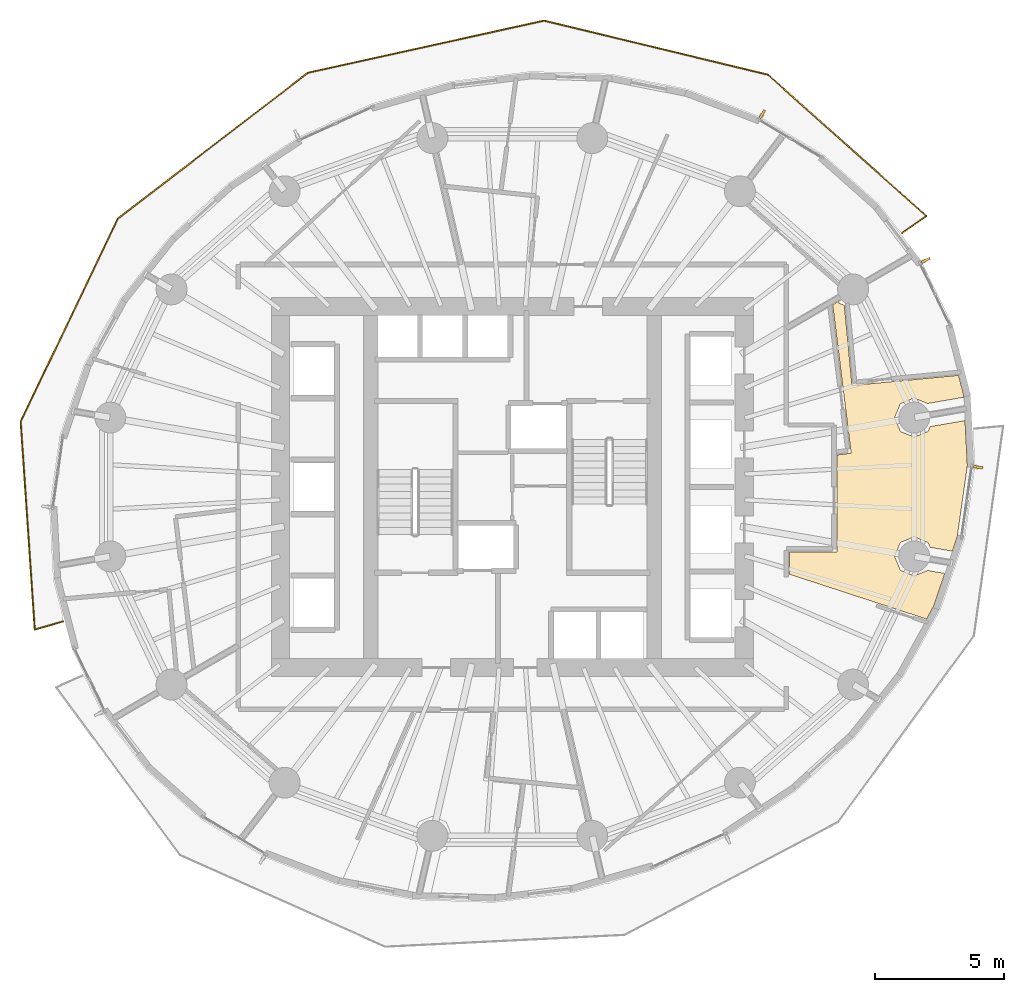
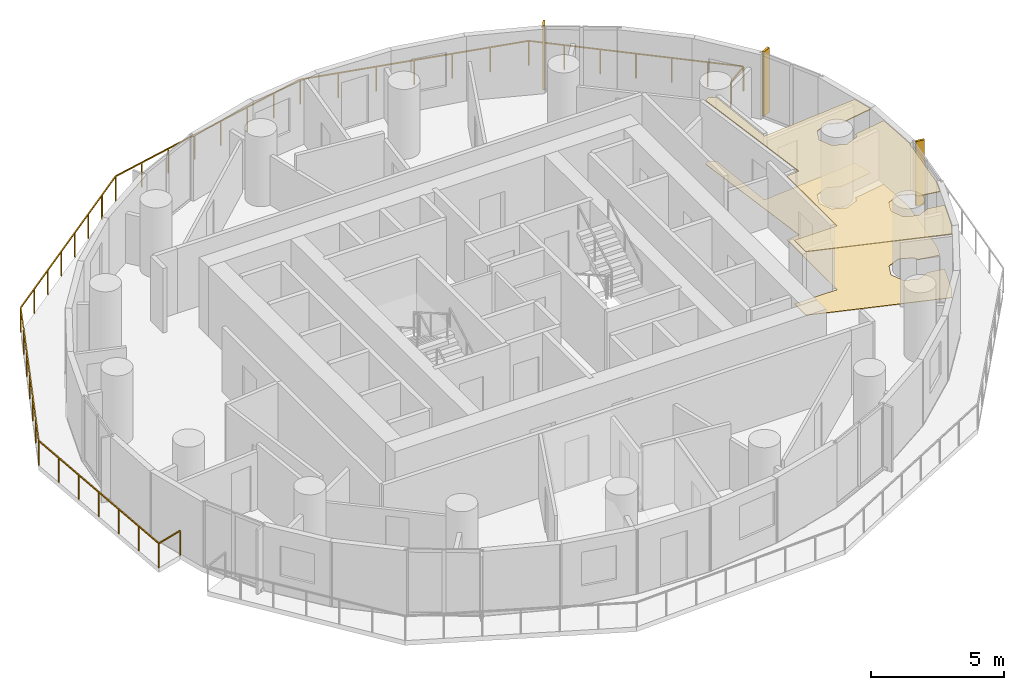
# One storey, part 14 of 14: 3 shading devices, 2 coverings, 1 railing.
"""IFC4 building model written with IfcOpenShell, lengths in metres."""

from ifc_helpers import new_model, si_unit, direction, frame, origin, origin_2d, place, context, subcontext, project, spatial, polyline, rectangle, outline, extrude, material, layer, layer_set, type_object, element, save


model = new_model("IFC4")

# Units and contexts
model_context = context("Model", 3, precision=1e-05, world=origin(), true_north=direction((0.0, 1.0)))
body_context = subcontext(model_context, "Body", "Model", "MODEL_VIEW")
ifc_project = project(units=[si_unit("LENGTHUNIT", "METRE"), si_unit("AREAUNIT", "SQUARE_METRE"), si_unit("VOLUMEUNIT", "CUBIC_METRE"), si_unit("PLANEANGLEUNIT", "RADIAN"), si_unit("MASSUNIT", "GRAM", prefix="KILO")], contexts=[model_context])

# Site, building, storey
site_placement = place(None, origin())
site = spatial("IfcSite", under=ifc_project, at=site_placement, CompositionType="ELEMENT")
building_placement = place(site_placement, origin())
building = spatial("IfcBuilding", under=site, at=building_placement, Name="Veldorim Arch Residences", CompositionType="ELEMENT")
storey_placement = place(building_placement, frame((0.0, 0.0, 90.080078125)))
storey = spatial("IfcBuildingStorey", under=building, at=storey_placement, Name="L26", CompositionType="ELEMENT", Elevation=90.080078125)

# Railing
ifc_material_1 = material(Name="Aluminium", Category="aluminium")
railing_type = type_object("IfcRailingType", Name="Balcony & Terrace Laminated Glass Balustrade 1150", PredefinedType="BALUSTRADE", material=ifc_material_1)
railing_placement = place(storey_placement, frame((47.1259765625, 33.854736328125, 0.0)))
element("IfcRailing", 1, at=railing_placement, inside=storey, type_object=railing_type, Name="L26 crescent balcony safety balustrade A", PredefinedType="BALUSTRADE", context=body_context, shape_type="SweptSolid", body=[
    extrude(rectangle(XDim=0.048095703125, YDim=0.048095703125, at=origin_2d()), frame((0.0, 0.0, 1.1259765625), z_axis=(0.819431336114, 0.573177359458, 0.0), x_axis=(-0.573177359458, 0.819431336114, 0.0)), (0.0, 0.0, 1.0), 1.150146484375),
    extrude(rectangle(XDim=0.048095703125, YDim=0.048095703125, at=origin_2d()), frame((0.9423828125, 0.6591796875, 1.1259765625), z_axis=(-0.746214671187, 0.665705388671, 0.0), x_axis=(-0.665705388671, -0.746214671187, 0.0)), (0.0, 0.0, 1.0), 8.2392578125),
    extrude(rectangle(XDim=0.048095703125, YDim=0.048095703125, at=origin_2d()), frame((-5.205810546875, 6.14404296875, 1.1259765625), z_axis=(-0.972111417995, 0.234519489601, 0.0), x_axis=(-0.234519489601, -0.972111417995, 0.0)), (0.0, 0.0, 1.0), 8.938232421875),
    extrude(rectangle(XDim=0.048095703125, YDim=0.048095703125, at=origin_2d()), frame((-13.894775390625, 8.240234375, 1.1259765625), z_axis=(-0.976478766181, -0.215613587694, 0.0), x_axis=(0.215613587694, -0.976478766181, 0.0)), (0.0, 0.0, 1.0), 9.384521484375),
    extrude(rectangle(XDim=0.048095703125, YDim=0.048095703125, at=origin_2d()), frame((-23.05859375, 6.216796875, 1.1259765625), z_axis=(-0.793334406414, -0.608786103323, 0.0), x_axis=(0.608786103323, -0.793334406414, 0.0)), (0.0, 0.0, 1.0), 9.29345703125),
    extrude(rectangle(XDim=0.048095703125, YDim=0.048095703125, at=origin_2d()), frame((-30.431396484375, 0.55908203125, 1.1259765625), z_axis=(-0.431794755909, -0.901971889124, 0.0), x_axis=(0.901971889124, -0.431794755909, 0.0)), (0.0, 0.0, 1.0), 8.7333984375),
    extrude(rectangle(XDim=0.048095703125, YDim=0.048095703125, at=origin_2d()), frame((-34.202392578125, -7.318115234375, 1.1259765625), z_axis=(0.067586357353, -0.997713427944, 0.0), x_axis=(0.997713427944, 0.067586357353, 0.0)), (0.0, 0.0, 1.0), 8.091552734375),
    extrude(rectangle(XDim=0.048095703125, YDim=0.048095703125, at=origin_2d()), frame((-33.655517578125, -15.39111328125, 1.1259765625), z_axis=(0.960613489845, 0.277887968664, 0.0), x_axis=(-0.277887968664, 0.960613489845, 0.0)), (0.0, 0.0, 1.0), 1.150146484375),
    extrude(rectangle(XDim=0.0419921875, YDim=0.0419921875, at=origin_2d()), origin(), (0.0, 0.0, 1.0), 1.101806640625),
    extrude(rectangle(XDim=0.0419921875, YDim=0.0419921875, at=origin_2d()), frame((0.9423828125, 0.6591796875, 0.0)), (0.0, 0.0, 1.0), 1.101806640625),
    extrude(rectangle(XDim=0.0419921875, YDim=0.0419921875, at=origin_2d()), frame((-0.082275390625, 1.5732421875, 0.0)), (0.0, 0.0, 1.0), 1.101806640625),
    extrude(rectangle(XDim=0.0419921875, YDim=0.0419921875, at=origin_2d()), frame((-1.10693359375, 2.487548828125, 0.0)), (0.0, 0.0, 1.0), 1.101806640625),
    extrude(rectangle(XDim=0.0419921875, YDim=0.0419921875, at=origin_2d()), frame((-2.1318359375, 3.401611328125, 0.0)), (0.0, 0.0, 1.0), 1.101806640625),
    extrude(rectangle(XDim=0.0419921875, YDim=0.0419921875, at=origin_2d()), frame((-3.156494140625, 4.315673828125, 0.0)), (0.0, 0.0, 1.0), 1.101806640625),
    extrude(rectangle(XDim=0.0419921875, YDim=0.0419921875, at=origin_2d()), frame((-4.18115234375, 5.22998046875, 0.0)), (0.0, 0.0, 1.0), 1.101806640625),
    extrude(rectangle(XDim=0.0419921875, YDim=0.0419921875, at=origin_2d()), frame((-5.205810546875, 6.14404296875, 0.0)), (0.0, 0.0, 1.0), 1.101806640625),
    extrude(rectangle(XDim=0.0419921875, YDim=0.0419921875, at=origin_2d()), frame((-6.654052734375, 6.493408203125, 0.0)), (0.0, 0.0, 1.0), 1.101806640625),
    extrude(rectangle(XDim=0.0419921875, YDim=0.0419921875, at=origin_2d()), frame((-8.10205078125, 6.8427734375, 0.0)), (0.0, 0.0, 1.0), 1.101806640625),
    extrude(rectangle(XDim=0.0419921875, YDim=0.0419921875, at=origin_2d()), frame((-9.55029296875, 7.192138671875, 0.0)), (0.0, 0.0, 1.0), 1.101806640625),
    extrude(rectangle(XDim=0.0419921875, YDim=0.0419921875, at=origin_2d()), frame((-10.99853515625, 7.54150390625, 0.0)), (0.0, 0.0, 1.0), 1.101806640625),
    extrude(rectangle(XDim=0.0419921875, YDim=0.0419921875, at=origin_2d()), frame((-12.446533203125, 7.890869140625, 0.0)), (0.0, 0.0, 1.0), 1.101806640625),
    extrude(rectangle(XDim=0.0419921875, YDim=0.0419921875, at=origin_2d()), frame((-13.894775390625, 8.240234375, 0.0)), (0.0, 0.0, 1.0), 1.101806640625),
    extrude(rectangle(XDim=0.0419921875, YDim=0.0419921875, at=origin_2d()), frame((-15.203857421875, 7.951171875, 0.0)), (0.0, 0.0, 1.0), 1.101806640625),
    extrude(rectangle(XDim=0.0419921875, YDim=0.0419921875, at=origin_2d()), frame((-16.512939453125, 7.662109375, 0.0)), (0.0, 0.0, 1.0), 1.101806640625),
    extrude(rectangle(XDim=0.0419921875, YDim=0.0419921875, at=origin_2d()), frame((-17.822021484375, 7.373046875, 0.0)), (0.0, 0.0, 1.0), 1.101806640625),
    extrude(rectangle(XDim=0.0419921875, YDim=0.0419921875, at=origin_2d()), frame((-19.13134765625, 7.083984375, 0.0)), (0.0, 0.0, 1.0), 1.101806640625),
    extrude(rectangle(XDim=0.0419921875, YDim=0.0419921875, at=origin_2d()), frame((-20.4404296875, 6.794921875, 0.0)), (0.0, 0.0, 1.0), 1.101806640625),
    extrude(rectangle(XDim=0.0419921875, YDim=0.0419921875, at=origin_2d()), frame((-21.74951171875, 6.505859375, 0.0)), (0.0, 0.0, 1.0), 1.101806640625),
    extrude(rectangle(XDim=0.0419921875, YDim=0.0419921875, at=origin_2d()), frame((-23.05859375, 6.216796875, 0.0)), (0.0, 0.0, 1.0), 1.101806640625),
    extrude(rectangle(XDim=0.0419921875, YDim=0.0419921875, at=origin_2d()), frame((-24.11181640625, 5.408447265625, 0.0)), (0.0, 0.0, 1.0), 1.101806640625),
    extrude(rectangle(XDim=0.0419921875, YDim=0.0419921875, at=origin_2d()), frame((-25.1650390625, 4.600341796875, 0.0)), (0.0, 0.0, 1.0), 1.101806640625),
    extrude(rectangle(XDim=0.0419921875, YDim=0.0419921875, at=origin_2d()), frame((-26.21826171875, 3.7919921875, 0.0)), (0.0, 0.0, 1.0), 1.101806640625),
    extrude(rectangle(XDim=0.0419921875, YDim=0.0419921875, at=origin_2d()), frame((-27.271728515625, 2.98388671875, 0.0)), (0.0, 0.0, 1.0), 1.101806640625),
    extrude(rectangle(XDim=0.0419921875, YDim=0.0419921875, at=origin_2d()), frame((-28.324951171875, 2.175537109375, 0.0)), (0.0, 0.0, 1.0), 1.101806640625),
    extrude(rectangle(XDim=0.0419921875, YDim=0.0419921875, at=origin_2d()), frame((-29.378173828125, 1.367431640625, 0.0)), (0.0, 0.0, 1.0), 1.101806640625),
    extrude(rectangle(XDim=0.0419921875, YDim=0.0419921875, at=origin_2d()), frame((-30.431396484375, 0.55908203125, 0.0)), (0.0, 0.0, 1.0), 1.101806640625),
    extrude(rectangle(XDim=0.0419921875, YDim=0.0419921875, at=origin_2d()), frame((-31.059814453125, -0.75390625, 0.0)), (0.0, 0.0, 1.0), 1.101806640625),
    extrude(rectangle(XDim=0.0419921875, YDim=0.0419921875, at=origin_2d()), frame((-31.6884765625, -2.066650390625, 0.0)), (0.0, 0.0, 1.0), 1.101806640625),
    extrude(rectangle(XDim=0.0419921875, YDim=0.0419921875, at=origin_2d()), frame((-32.31689453125, -3.37939453125, 0.0)), (0.0, 0.0, 1.0), 1.101806640625),
    extrude(rectangle(XDim=0.0419921875, YDim=0.0419921875, at=origin_2d()), frame((-32.9453125, -4.6923828125, 0.0)), (0.0, 0.0, 1.0), 1.101806640625),
    extrude(rectangle(XDim=0.0419921875, YDim=0.0419921875, at=origin_2d()), frame((-33.573974609375, -6.00537109375, 0.0)), (0.0, 0.0, 1.0), 1.101806640625),
    extrude(rectangle(XDim=0.0419921875, YDim=0.0419921875, at=origin_2d()), frame((-34.202392578125, -7.318115234375, 0.0)), (0.0, 0.0, 1.0), 1.101806640625),
    extrude(rectangle(XDim=0.0419921875, YDim=0.0419921875, at=origin_2d()), frame((-34.111328125, -8.66357421875, 0.0)), (0.0, 0.0, 1.0), 1.101806640625),
    extrude(rectangle(XDim=0.0419921875, YDim=0.0419921875, at=origin_2d()), frame((-34.02001953125, -10.009033203125, 0.0)), (0.0, 0.0, 1.0), 1.101806640625),
    extrude(rectangle(XDim=0.0419921875, YDim=0.0419921875, at=origin_2d()), frame((-33.928955078125, -11.3544921875, 0.0)), (0.0, 0.0, 1.0), 1.101806640625),
    extrude(rectangle(XDim=0.0419921875, YDim=0.0419921875, at=origin_2d()), frame((-33.837890625, -12.7001953125, 0.0)), (0.0, 0.0, 1.0), 1.101806640625),
    extrude(rectangle(XDim=0.0419921875, YDim=0.0419921875, at=origin_2d()), frame((-33.74658203125, -14.045654296875, 0.0)), (0.0, 0.0, 1.0), 1.101806640625),
    extrude(rectangle(XDim=0.0419921875, YDim=0.0419921875, at=origin_2d()), frame((-33.655517578125, -15.39111328125, 0.0)), (0.0, 0.0, 1.0), 1.101806640625),
    extrude(rectangle(XDim=0.0419921875, YDim=0.0419921875, at=origin_2d()), frame((-32.55078125, -15.071533203125, 0.0)), (0.0, 0.0, 1.0), 1.101806640625),
])

# Coverings
ifc_material_2 = material(Name="Acoustic Gypsum & Mineral Fibre", Category="gypsum")
ifc_layer_1 = layer(ifc_material_2, 0.034912109375, Name="Perforated Acoustic Mineral-Fibre Ceiling 35")
ifc_layer_set_1 = layer_set([ifc_layer_1], Name="Acoustic Gypsum & Mineral Fibre")
covering_type_1 = type_object("IfcCoveringType", Name="Perforated Acoustic Mineral-Fibre Ceiling 35", PredefinedType="CEILING", material=ifc_layer_set_1)
covering_1_placement = place(storey_placement, frame((0.0, 0.0, 2.905029296875)))
element("IfcCovering", 2, at=covering_1_placement, inside=storey, type_object=covering_type_1, Name="L26 acoustic suspended ceiling 02", PredefinedType="CEILING", context=body_context, shape_type="SweptSolid", body=[
    extrude(outline(polyline([(47.594482421875, 25.932373046875), (48.1318359375, 26.15478515625), (48.209228515625, 26.341796875), (49.564453125, 26.57568359375), (49.656005859375, 24.8330078125), (49.2646484375, 22.07666015625), (49.072265625, 21.50927734375), (48.209228515625, 21.658203125), (48.1318359375, 21.84521484375), (47.594482421875, 22.067626953125), (47.05712890625, 21.84521484375), (46.834716796875, 21.307861328125), (47.05712890625, 20.7705078125), (47.594482421875, 20.5478515625), (48.111083984375, 20.761962890625), (48.77978515625, 20.646484375), (48.34912109375, 19.37646484375), (48.07275390625, 18.875244140625), (42.75, 20.6142578125), (42.75, 21.47998046875), (44.60009765625, 21.47998046875), (44.60009765625, 25.239990234375), (45.151123046875, 25.308837890625), (44.431396484375, 31.070556640625), (44.654052734375, 31.19970703125), (44.68310546875, 31.129638671875), (44.884033203125, 31.04638671875), (45.17919921875, 27.9375), (49.3154296875, 28.330322265625), (49.5126953125, 27.562255859375), (49.51708984375, 27.480712890625), (48.111083984375, 27.238037109375), (47.594482421875, 27.4521484375), (47.05712890625, 27.2294921875), (46.834716796875, 26.692138671875), (47.05712890625, 26.15478515625), (47.594482421875, 25.932373046875)])), origin(), (0.0, 0.0, 1.0), 0.034912109375),
])
ifc_material_3 = material(Name="Porcelain Ceramic Tile", Category="ceramic")
ifc_layer_2 = layer(ifc_material_3, 0.02001953125, Name="Slip-Resistant Porcelain & Vinyl Floor Finish 20")
ifc_layer_set_2 = layer_set([ifc_layer_2], Name="Porcelain Ceramic Tile")
covering_type_2 = type_object("IfcCoveringType", Name="Slip-Resistant Porcelain & Vinyl Floor Finish 20", PredefinedType="FLOORING", material=ifc_layer_set_2)
covering_2_placement = place(storey_placement, origin())
element("IfcCovering", 3, at=covering_2_placement, inside=storey, type_object=covering_type_2, Name="L26 porcelain floor finish 02", PredefinedType="FLOORING", context=body_context, shape_type="SweptSolid", body=[
    extrude(outline(polyline([(47.594482421875, 25.932373046875), (48.1318359375, 26.15478515625), (48.209228515625, 26.341796875), (49.564453125, 26.57568359375), (49.656005859375, 24.8330078125), (49.2646484375, 22.07666015625), (49.072265625, 21.50927734375), (48.209228515625, 21.658203125), (48.1318359375, 21.84521484375), (47.594482421875, 22.067626953125), (47.05712890625, 21.84521484375), (46.834716796875, 21.307861328125), (47.05712890625, 20.7705078125), (47.594482421875, 20.5478515625), (48.111083984375, 20.761962890625), (48.77978515625, 20.646484375), (48.34912109375, 19.37646484375), (48.07275390625, 18.875244140625), (42.75, 20.6142578125), (42.75, 21.47998046875), (44.60009765625, 21.47998046875), (44.60009765625, 25.239990234375), (45.151123046875, 25.308837890625), (44.431396484375, 31.070556640625), (44.654052734375, 31.19970703125), (44.68310546875, 31.129638671875), (44.884033203125, 31.04638671875), (45.17919921875, 27.9375), (49.3154296875, 28.330322265625), (49.5126953125, 27.562255859375), (49.51708984375, 27.480712890625), (48.111083984375, 27.238037109375), (47.594482421875, 27.4521484375), (47.05712890625, 27.2294921875), (46.834716796875, 26.692138671875), (47.05712890625, 26.15478515625), (47.594482421875, 25.932373046875)])), origin(), (0.0, 0.0, 1.0), 0.02001953125),
])

# Shading devices
ifc_material_4 = material(Name="Terracotta Ceramic", Category="masonry")
ifc_layer_3 = layer(ifc_material_4, 0.090087890625, Name="Vertical Extruded Terracotta Baguette Sun-Shading Fin")
ifc_layer_set_3 = layer_set([ifc_layer_3], Name="Terracotta Ceramic")
shading_device_type = type_object("IfcShadingDeviceType", Name="Vertical Extruded Terracotta Baguette Sun-Shading Fin", PredefinedType="USERDEFINED", material=ifc_layer_set_3)
for number, where, z_axis, x_axis, name in (
    (4, (48.044677734375, 32.796875, 0.0), (0.0, 0.0, 1.0), (0.437115766651, -0.899405251566, 0.0), "L26 vertical terracotta sun-shading fin 01"),
    (5, (41.70166015625, 38.4658203125, 0.0), (0.0, 0.0, 1.0), (0.857616429769, -0.514289859311, 0.0), "L26 vertical terracotta sun-shading fin 04"),
    (6, (50.078369140625, 24.765625, 0.0), (0.0, 0.0, 1.0), (-0.14055563991, -0.990072781208, 0.0), "L26 vertical terracotta sun-shading fin 34"),
):
    element("IfcShadingDevice", number, at=place(storey_placement, frame(where, z_axis=z_axis, x_axis=x_axis)), inside=storey, type_object=shading_device_type, Name=name, ObjectType="FIN", PredefinedType="USERDEFINED", context=body_context, shape_type="SweptSolid", body=[
        extrude(rectangle(XDim=0.090087890625, YDim=0.360107421875, at=origin_2d()), origin(), (0.0, 0.0, 1.0), 2.9599609375),
    ])

save(model, "model.ifc")
